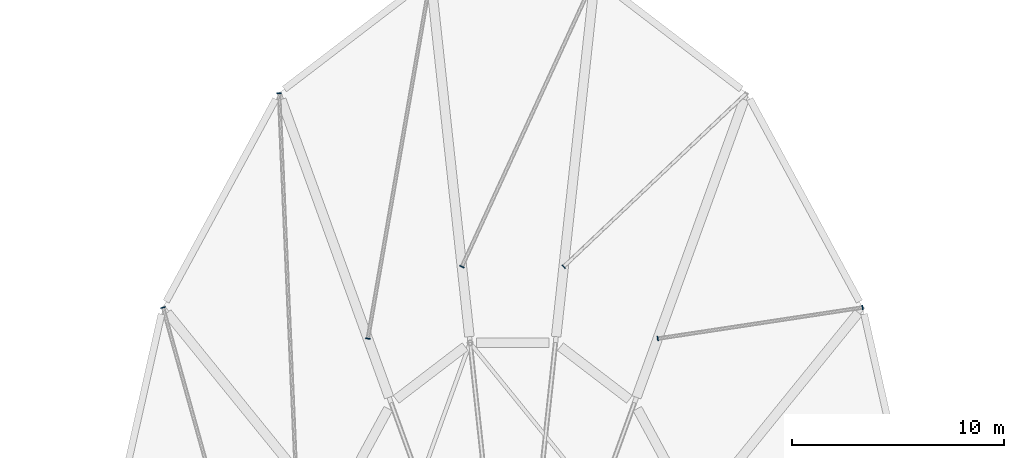
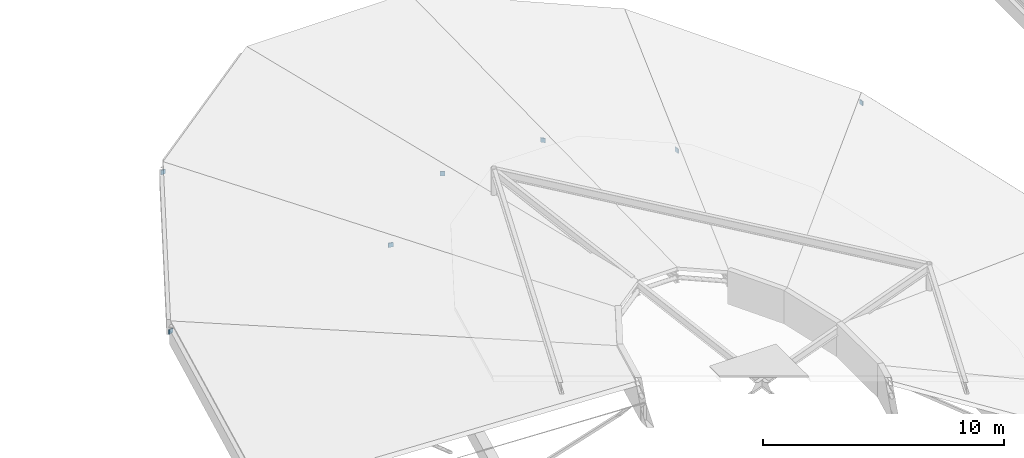
# One storey, part 28 of 39: 7 plates.
"""IFC4 building model written with IfcOpenShell, lengths in metres."""

from ifc_helpers import new_model, si_unit, direction, frame, origin, origin_2d, place, context, subcontext, project, spatial, rectangle, extrude, material, layer, layer_set, type_object, element, save


model = new_model("IFC4")

# Units and contexts
model_context = context("Model", 3, precision=1e-05, world=origin(), true_north=direction((0.0, 1.0)))
body_context = subcontext(model_context, "Body", "Model", "MODEL_VIEW")
ifc_project = project(units=[si_unit("LENGTHUNIT", "METRE"), si_unit("AREAUNIT", "SQUARE_METRE"), si_unit("VOLUMEUNIT", "CUBIC_METRE"), si_unit("PLANEANGLEUNIT", "RADIAN"), si_unit("MASSUNIT", "GRAM", prefix="KILO")], contexts=[model_context])

# Site, building, storey
site_placement = place(None, origin())
site = spatial("IfcSite", under=ifc_project, at=site_placement, CompositionType="ELEMENT")
building_placement = place(site_placement, origin())
building = spatial("IfcBuilding", under=site, at=building_placement, Name="Corvandel Quay Wholesale Market", CompositionType="ELEMENT")
storey_placement = place(building_placement, frame((0.0, 0.0, 15.0)))
storey = spatial("IfcBuildingStorey", under=building, at=storey_placement, Name="L03", CompositionType="ELEMENT", Elevation=15.0)

# Plates
ifc_material = material(Name="Steel A572 Grade 50", Category="steel")
ifc_layer = layer(ifc_material, 0.044921875)
ifc_layer_set = layer_set([ifc_layer], Name="Steel A572 Grade 50")
plate_type = type_object("IfcPlateType", Name="Steel Brace End Cap Plate PLT02 45mm", PredefinedType="SHEET", material=ifc_layer_set)
for number, where, z_axis, x_axis, name in (
    (1, (211.029052734375, 80.3916015625, -0.66943359375), (0.0, 0.0, 1.0), (-0.150053034553, 0.988677948991, 0.0), "HSS Cap Plate PLT-0039"),
    (2, (201.350341796875, 78.92236328125, 1.19970703125), (0.0, 0.0, 1.0), (-0.150053034553, 0.988677948991, 0.0), "HSS Cap Plate PLT-0040"),
    (3, (196.906494140625, 82.3212890625, 1.19970703125), (0.0, 0.0, 1.0), (-0.688354575694, 0.725374371012, 0.0), "HSS Cap Plate PLT-0045"),
    (4, (192.095703125, 82.32177734375, 1.19970703125), (0.0, 0.0, 1.0), (-0.908726847669, 0.417391322773, 0.0), "HSS Cap Plate PLT-0050"),
    (5, (187.65185546875, 78.924072265625, 1.19970703125), (0.0, 0.0, 1.0), (-0.985229115235, 0.171241322388, 0.0), "HSS Cap Plate PLT-0055"),
    (6, (183.4541015625, 90.51708984375, -0.669921875), (0.0, 0.0, 1.0), (0.999009776081, 0.044491204688, 0.0), "HSS Cap Plate PLT-0059"),
    (7, (177.969482421875, 80.39013671875, -0.669921875), (0.0, 0.0, 1.0), (0.963350073517, 0.268247340815, 0.0), "HSS Cap Plate PLT-0064"),
):
    element("IfcPlate", number, at=place(storey_placement, frame(where, z_axis=z_axis, x_axis=x_axis)), inside=storey, type_object=plate_type, Name=name, PredefinedType="SHEET", context=body_context, shape_type="SweptSolid", body=[
        extrude(rectangle(XDim=0.219970703125, YDim=0.044921875, at=origin_2d()), origin(), (0.0, 0.0, 1.0), 0.219970703125),
    ])

save(model, "model.ifc")
